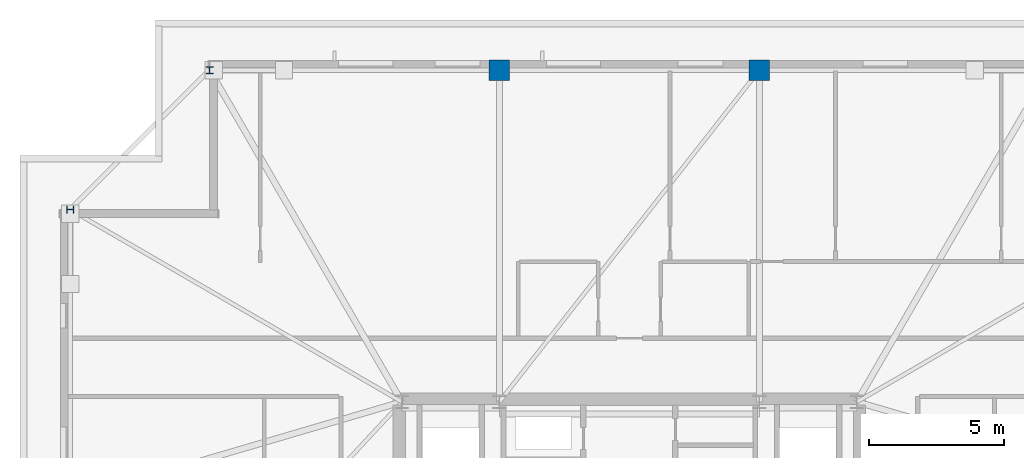
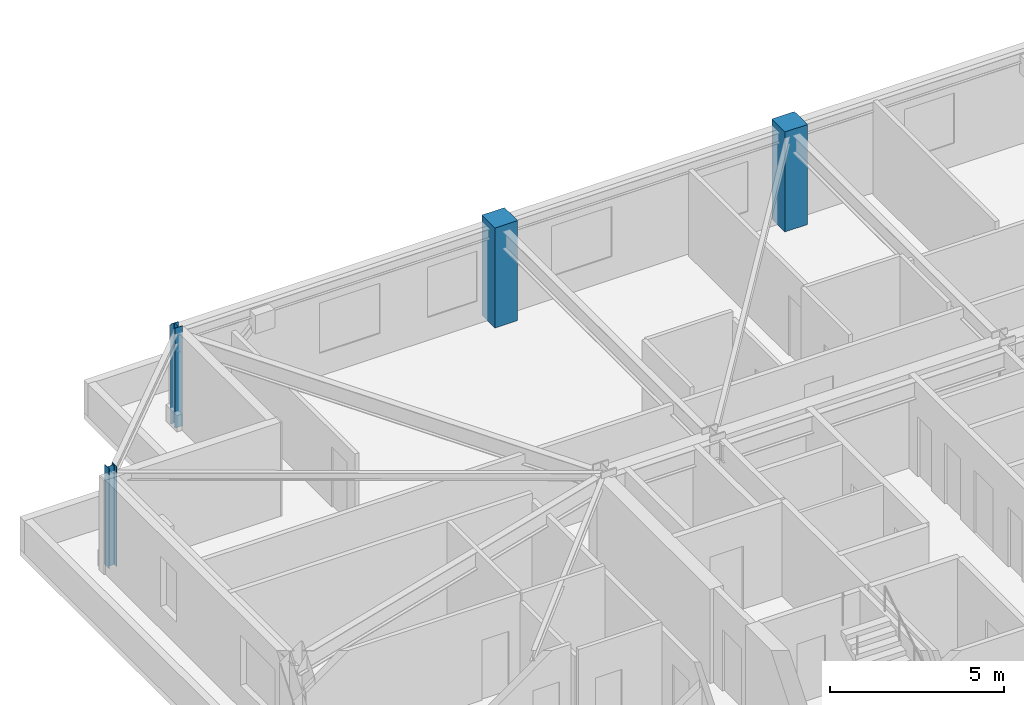
# One storey, part 4 of 15: 4 columns.
"""IFC4 building model written with IfcOpenShell, lengths in metres."""

from ifc_helpers import new_model, si_unit, direction, frame, origin, origin_2d, place, context, subcontext, project, spatial, rectangle, i_section, extrude, material, material_profile, profile_set, type_object, element, save


model = new_model("IFC4")

# Units and contexts
model_context = context("Model", 3, precision=1e-05, world=origin(), true_north=direction((0.0, 1.0)))
body_context = subcontext(model_context, "Body", "Model", "MODEL_VIEW")
ifc_project = project(units=[si_unit("LENGTHUNIT", "METRE"), si_unit("AREAUNIT", "SQUARE_METRE"), si_unit("VOLUMEUNIT", "CUBIC_METRE"), si_unit("PLANEANGLEUNIT", "RADIAN"), si_unit("MASSUNIT", "GRAM", prefix="KILO")], contexts=[model_context])

# Site, building, storey
site_placement = place(None, origin())
site = spatial("IfcSite", under=ifc_project, at=site_placement, CompositionType="ELEMENT")
building_placement = place(site_placement, origin())
building = spatial("IfcBuilding", under=site, at=building_placement, Name="Cairnveth Concourse Tower", CompositionType="ELEMENT")
storey_placement = place(building_placement, frame((0.0, 0.0, 280.5)))
storey = spatial("IfcBuildingStorey", under=building, at=storey_placement, Name="L77", CompositionType="ELEMENT", Elevation=280.5)

# Columns
ifc_material_1 = material(Name="Concrete N50 (50 MPa)", Category="concrete")
ifc_material_profile_1 = material_profile(ifc_material_1, rectangle(XDim=0.75, YDim=0.75, at=origin_2d()), Name="RC-COL-750x750")
ifc_profile_set_1 = profile_set([ifc_material_profile_1], Name="Concrete N50 (50 MPa)")
column_type_1 = type_object("IfcColumnType", Name="PERIMETER PIER COLUMN 750X750", PredefinedType="COLUMN", material=ifc_profile_set_1)
for number, where, z_axis, x_axis, name in (
    (1, (56.800048828125, 59.64990234375, 0.0), (0.0, 0.0, 1.0), (1.0, 0.0, 0.0), "Column P-N2 L77"),
    (2, (47.199951171875, 59.64990234375, 0.0), (0.0, 0.0, 1.0), (1.0, 0.0, 0.0), "Column P-N3 L77"),
):
    element("IfcColumn", number, at=place(storey_placement, frame(where, z_axis=z_axis, x_axis=x_axis)), inside=storey, type_object=column_type_1, Name=name, PredefinedType="COLUMN", context=body_context, shape_type="SweptSolid", body=[
        extrude(rectangle(XDim=0.75, YDim=0.75, at=origin_2d()), origin(), (0.0, 0.0, 1.0), 3.5),
    ])
ifc_material_2 = material(Name="Steel Grade 350", Category="steel")
ifc_material_profile_2 = material_profile(ifc_material_2, i_section(OverallWidth=0.25390625, OverallDepth=0.25390625, WebThickness=0.008544921875, FlangeThickness=0.01416015625, FilletRadius=0.012939453125, at=origin_2d()), Name="250UC72.9")
ifc_profile_set_2 = profile_set([ifc_material_profile_2], Name="Steel Grade 350")
column_type_2 = type_object("IfcColumnType", Name="UNIVERSAL STEEL COLUMN 250UC72.9", PredefinedType="COLUMN", material=ifc_profile_set_2)
for number, where, z_axis, x_axis, name in (
    (3, (36.5, 59.64990234375, 0.0), (0.0, 0.0, 1.0), (1.0, 0.0, 0.0), "Column P-N4 L77"),
    (4, (31.35009765625, 54.5, 0.0), (0.0, 0.0, 1.0), (0.0, 1.0, 0.0), "Column P-W1 L77"),
):
    element("IfcColumn", number, at=place(storey_placement, frame(where, z_axis=z_axis, x_axis=x_axis)), inside=storey, type_object=column_type_2, Name=name, PredefinedType="COLUMN", context=body_context, shape_type="SweptSolid", body=[
        extrude(i_section(OverallWidth=0.25390625, OverallDepth=0.25390625, WebThickness=0.008544921875, FlangeThickness=0.01416015625, FilletRadius=0.012939453125, at=origin_2d()), origin(), (0.0, 0.0, 1.0), 3.5),
    ])

save(model, "model.ifc")
